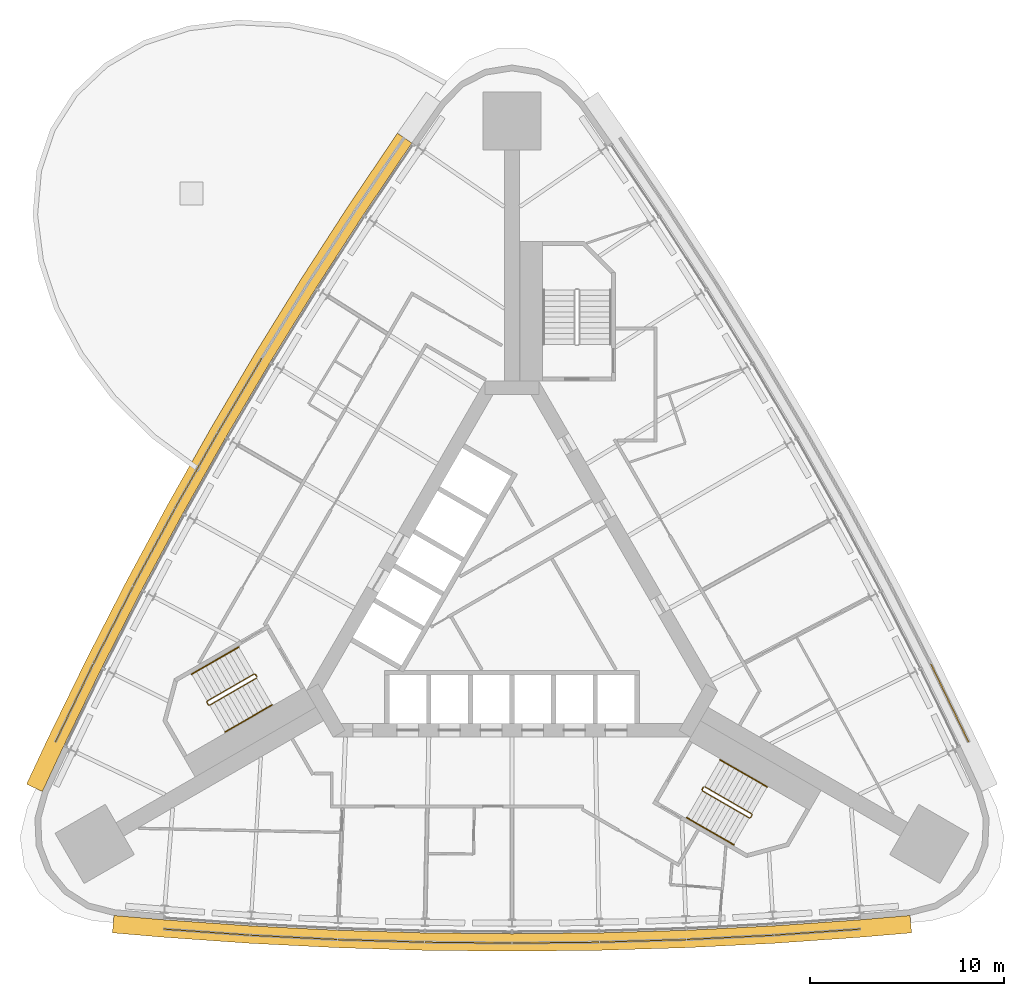
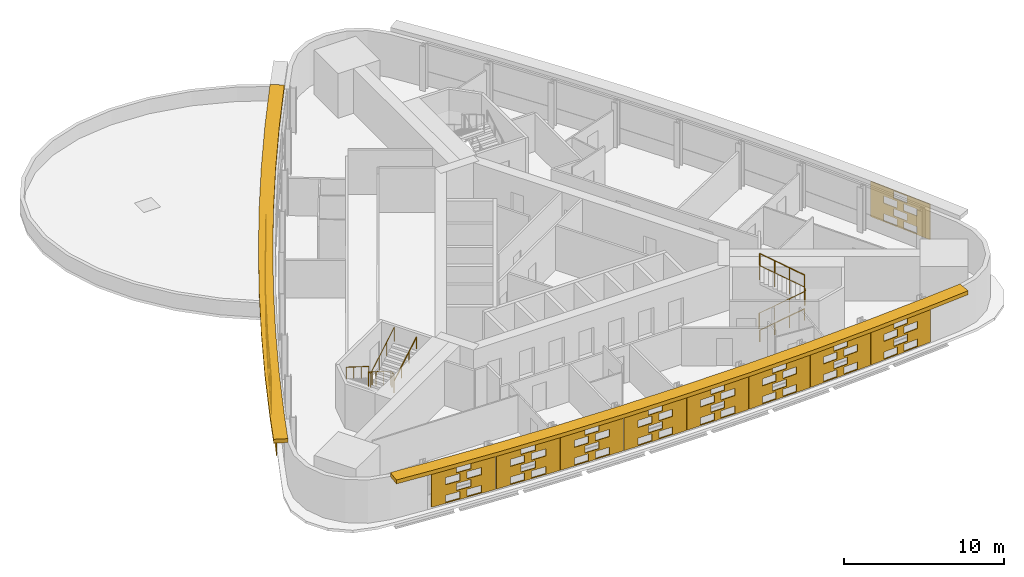
# One storey, part 11 of 12: 16 shading devices, 6 railings.
"""IFC4 building model written with IfcOpenShell, lengths in metres."""

from ifc_helpers import new_model, si_unit, direction, frame, origin, origin_2d, place, context, subcontext, project, spatial, polyline, circle, outline, extrude, material, material_profile, profile_set, type_object, element, save


model = new_model("IFC4")

# Units and contexts
model_context = context("Model", 3, precision=1e-05, world=origin(), true_north=direction((0.0, 1.0)))
body_context = subcontext(model_context, "Body", "Model", "MODEL_VIEW")
ifc_project = project(units=[si_unit("LENGTHUNIT", "METRE"), si_unit("AREAUNIT", "SQUARE_METRE"), si_unit("VOLUMEUNIT", "CUBIC_METRE"), si_unit("PLANEANGLEUNIT", "RADIAN"), si_unit("MASSUNIT", "GRAM", prefix="KILO")], contexts=[model_context])

# Site, building, storey
site_placement = place(None, origin())
site = spatial("IfcSite", under=ifc_project, at=site_placement, CompositionType="ELEMENT")
building_placement = place(site_placement, origin())
building = spatial("IfcBuilding", under=site, at=building_placement, Name="Noor Cloister Tower", CompositionType="ELEMENT")
storey_placement = place(building_placement, frame((0.0, 0.0, 105.89990234375)))
storey = spatial("IfcBuildingStorey", under=building, at=storey_placement, Name="L27", CompositionType="ELEMENT", Elevation=105.89990234375)

# Shading devices
ifc_material_1 = material(Name="Limestone", Category="masonry")
ifc_material_profile = material_profile(ifc_material_1, outline(polyline([(-2.22998046875, -1.35009765625), (2.22998046875, -1.35009765625), (2.22998046875, 1.35009765625), (-2.22998046875, 1.35009765625), (-2.22998046875, -1.35009765625)]), holes=[polyline([(-1.25, -1.282470703125), (-0.25, -1.282470703125), (-0.25, -0.742431640625), (-1.25, -0.742431640625), (-1.25, -1.282470703125)]), polyline([(0.25, -1.282470703125), (1.25, -1.282470703125), (1.25, -0.742431640625), (0.25, -0.742431640625), (0.25, -1.282470703125)]), polyline([(-0.5, -0.607421875), (0.5, -0.607421875), (0.5, -0.0673828125), (-0.5, -0.0673828125), (-0.5, -0.607421875)]), polyline([(-1.25, 0.0673828125), (-0.25, 0.0673828125), (-0.25, 0.607421875), (-1.25, 0.607421875), (-1.25, 0.0673828125)]), polyline([(0.25, 0.0673828125), (1.25, 0.0673828125), (1.25, 0.607421875), (0.25, 0.607421875), (0.25, 0.0673828125)]), polyline([(-0.5, 0.742431640625), (0.5, 0.742431640625), (0.5, 1.282470703125), (-0.5, 1.282470703125), (-0.5, 0.742431640625)])]), Name="Woven screen 28 percent open")
ifc_profile_set = profile_set([ifc_material_profile], Name="Limestone")
shading_device_type_1 = type_object("IfcShadingDeviceType", Name="SCREEN woven limestone 28 percent open", PredefinedType="USERDEFINED", material=ifc_profile_set)
for number, where, z_axis, x_axis, name in (
    (1, (-14.02978515625, 10.703369140625, 1.85009765625), (-0.86141148773, 0.507907716822, 0.0), (-0.507907716822, -0.86141148773, 0.0), "SCREEN L27 4"),
    (2, (-16.2841796875, 6.798583984375, 1.85009765625), (-0.87048706901, 0.492191286683, 0.0), (-0.492191286683, -0.87048706901, 0.0), "SCREEN L27 5"),
):
    element("IfcShadingDevice", number, at=place(storey_placement, frame(where, z_axis=z_axis, x_axis=x_axis)), inside=storey, type_object=shading_device_type_1, Name=name, ObjectType="SCREEN", PredefinedType="USERDEFINED", context=body_context, shape_type="SweptSolid", body=[
        extrude(outline(polyline([(-2.22998046875, -1.35009765625), (2.22998046875, -1.35009765625), (2.22998046875, 1.35009765625), (-2.22998046875, 1.35009765625), (-2.22998046875, -1.35009765625)]), holes=[polyline([(-1.25, -1.282470703125), (-0.25, -1.282470703125), (-0.25, -0.742431640625), (-1.25, -0.742431640625), (-1.25, -1.282470703125)]), polyline([(0.25, -1.282470703125), (1.25, -1.282470703125), (1.25, -0.742431640625), (0.25, -0.742431640625), (0.25, -1.282470703125)]), polyline([(-0.5, -0.607421875), (0.5, -0.607421875), (0.5, -0.0673828125), (-0.5, -0.0673828125), (-0.5, -0.607421875)]), polyline([(-1.25, 0.0673828125), (-0.25, 0.0673828125), (-0.25, 0.607421875), (-1.25, 0.607421875), (-1.25, 0.0673828125)]), polyline([(0.25, 0.0673828125), (1.25, 0.0673828125), (1.25, 0.607421875), (0.25, 0.607421875), (0.25, 0.0673828125)]), polyline([(-0.5, 0.742431640625), (0.5, 0.742431640625), (0.5, 1.282470703125), (-0.5, 1.282470703125), (-0.5, 0.742431640625)])]), origin(), (0.0, 0.0, 1.0), 0.06005859375),
    ])
shading_device_1_placement = place(storey_placement, frame((-18.459716796875, 2.849365234375, 1.85009765625), z_axis=(-0.880210472648, 0.474583526727, 0.0), x_axis=(-0.474583526727, -0.880210472648, 0.0)))
element("IfcShadingDevice", 3, at=shading_device_1_placement, inside=storey, type_object=shading_device_type_1, Name="SCREEN L27 6", ObjectType="SCREEN", PredefinedType="USERDEFINED", context=body_context, shape_type="SweptSolid", body=[
    extrude(outline(polyline([(-2.22998046875, -1.35009765625), (2.22998046875, -1.35009765625), (2.22998046875, 1.35009765625), (-2.22998046875, 1.35009765625), (-2.22998046875, -1.35009765625)]), holes=[polyline([(-1.25, -1.282470703125), (-0.25, -1.282470703125), (-0.25, -0.742431640625), (-1.25, -0.742431640625), (-1.25, -1.282470703125)]), polyline([(0.25, -1.282470703125), (1.25, -1.282470703125), (1.25, -0.742431640625), (0.25, -0.742431640625), (0.25, -1.282470703125)]), polyline([(-0.5, -0.607421875), (0.5, -0.607421875), (0.5, -0.0673828125), (-0.5, -0.0673828125), (-0.5, -0.607421875)]), polyline([(-1.25, 0.0673828125), (-0.25, 0.0673828125), (-0.25, 0.607421875), (-1.25, 0.607421875), (-1.25, 0.0673828125)]), polyline([(0.25, 0.0673828125), (1.25, 0.0673828125), (1.25, 0.607421875), (0.25, 0.607421875), (0.25, 0.0673828125)]), polyline([(-0.5, 0.742431640625), (0.5, 0.742431640625), (0.5, 1.282470703125), (-0.5, 1.282470703125), (-0.5, 0.742431640625)])]), origin(), (0.0, 0.0, 1.0), 0.060302734375),
])
shading_device_2_placement = place(storey_placement, frame((-20.5556640625, -1.142578125, 1.85009765625), z_axis=(-0.88947737876, 0.456979203766, 0.0), x_axis=(-0.456979203766, -0.88947737876, 0.0)))
element("IfcShadingDevice", 4, at=shading_device_2_placement, inside=storey, type_object=shading_device_type_1, Name="SCREEN L27 7", ObjectType="SCREEN", PredefinedType="USERDEFINED", context=body_context, shape_type="SweptSolid", body=[
    extrude(outline(polyline([(-2.22998046875, -1.35009765625), (2.22998046875, -1.35009765625), (2.22998046875, 1.35009765625), (-2.22998046875, 1.35009765625), (-2.22998046875, -1.35009765625)]), holes=[polyline([(-1.25, -1.282470703125), (-0.25, -1.282470703125), (-0.25, -0.742431640625), (-1.25, -0.742431640625), (-1.25, -1.282470703125)]), polyline([(0.25, -1.282470703125), (1.25, -1.282470703125), (1.25, -0.742431640625), (0.25, -0.742431640625), (0.25, -1.282470703125)]), polyline([(-0.5, -0.607421875), (0.5, -0.607421875), (0.5, -0.0673828125), (-0.5, -0.0673828125), (-0.5, -0.607421875)]), polyline([(-1.25, 0.0673828125), (-0.25, 0.0673828125), (-0.25, 0.607421875), (-1.25, 0.607421875), (-1.25, 0.0673828125)]), polyline([(0.25, 0.0673828125), (1.25, 0.0673828125), (1.25, 0.607421875), (0.25, 0.607421875), (0.25, 0.0673828125)]), polyline([(-0.5, 0.742431640625), (0.5, 0.742431640625), (0.5, 1.282470703125), (-0.5, 1.282470703125), (-0.5, 0.742431640625)])]), origin(), (0.0, 0.0, 1.0), 0.059814453125),
])
for number, where, z_axis, x_axis, name in (
    (5, (-22.57080078125, -5.17578125, 1.85009765625), (-0.900056208046, 0.435773820185, 0.0), (-0.435773820185, -0.900056208046, 0.0), "SCREEN L27 8"),
    (6, (-15.767822265625, -16.958984375, 1.85009765625), (-0.069221316626, -0.997601327848, 0.0), (0.997601327848, -0.069221316626, 0.0), "SCREEN L27 1"),
):
    element("IfcShadingDevice", number, at=place(storey_placement, frame(where, z_axis=z_axis, x_axis=x_axis)), inside=storey, type_object=shading_device_type_1, Name=name, ObjectType="SCREEN", PredefinedType="USERDEFINED", context=body_context, shape_type="SweptSolid", body=[
        extrude(outline(polyline([(-2.22998046875, -1.35009765625), (2.22998046875, -1.35009765625), (2.22998046875, 1.35009765625), (-2.22998046875, 1.35009765625), (-2.22998046875, -1.35009765625)]), holes=[polyline([(-1.25, -1.282470703125), (-0.25, -1.282470703125), (-0.25, -0.742431640625), (-1.25, -0.742431640625), (-1.25, -1.282470703125)]), polyline([(0.25, -1.282470703125), (1.25, -1.282470703125), (1.25, -0.742431640625), (0.25, -0.742431640625), (0.25, -1.282470703125)]), polyline([(-0.5, -0.607421875), (0.5, -0.607421875), (0.5, -0.0673828125), (-0.5, -0.0673828125), (-0.5, -0.607421875)]), polyline([(-1.25, 0.0673828125), (-0.25, 0.0673828125), (-0.25, 0.607421875), (-1.25, 0.607421875), (-1.25, 0.0673828125)]), polyline([(0.25, 0.0673828125), (1.25, 0.0673828125), (1.25, 0.607421875), (0.25, 0.607421875), (0.25, 0.0673828125)]), polyline([(-0.5, 0.742431640625), (0.5, 0.742431640625), (0.5, 1.282470703125), (-0.5, 1.282470703125), (-0.5, 0.742431640625)])]), origin(), (0.0, 0.0, 1.0), 0.06005859375),
    ])
shading_device_3_placement = place(storey_placement, frame((-11.267333984375, -17.23046875, 1.85009765625), z_axis=(-0.048920946303, -0.998802653687, 0.0), x_axis=(0.998802653687, -0.048920946303, 0.0)))
element("IfcShadingDevice", 7, at=shading_device_3_placement, inside=storey, type_object=shading_device_type_1, Name="SCREEN L27 2", ObjectType="SCREEN", PredefinedType="USERDEFINED", context=body_context, shape_type="SweptSolid", body=[
    extrude(outline(polyline([(-2.22998046875, -1.35009765625), (2.22998046875, -1.35009765625), (2.22998046875, 1.35009765625), (-2.22998046875, 1.35009765625), (-2.22998046875, -1.35009765625)]), holes=[polyline([(-1.25, -1.282470703125), (-0.25, -1.282470703125), (-0.25, -0.742431640625), (-1.25, -0.742431640625), (-1.25, -1.282470703125)]), polyline([(0.25, -1.282470703125), (1.25, -1.282470703125), (1.25, -0.742431640625), (0.25, -0.742431640625), (0.25, -1.282470703125)]), polyline([(-0.5, -0.607421875), (0.5, -0.607421875), (0.5, -0.0673828125), (-0.5, -0.0673828125), (-0.5, -0.607421875)]), polyline([(-1.25, 0.0673828125), (-0.25, 0.0673828125), (-0.25, 0.607421875), (-1.25, 0.607421875), (-1.25, 0.0673828125)]), polyline([(0.25, 0.0673828125), (1.25, 0.0673828125), (1.25, 0.607421875), (0.25, 0.607421875), (0.25, 0.0673828125)]), polyline([(-0.5, 0.742431640625), (0.5, 0.742431640625), (0.5, 1.282470703125), (-0.5, 1.282470703125), (-0.5, 0.742431640625)])]), origin(), (0.0, 0.0, 1.0), 0.059814453125),
])
shading_device_4_placement = place(storey_placement, frame((-6.76220703125, -17.411376953125, 1.85009765625), z_axis=(-0.028443771376, -0.999595394082, 0.0), x_axis=(0.999595394082, -0.028443771376, 0.0)))
element("IfcShadingDevice", 8, at=shading_device_4_placement, inside=storey, type_object=shading_device_type_1, Name="SCREEN L27 3", ObjectType="SCREEN", PredefinedType="USERDEFINED", context=body_context, shape_type="SweptSolid", body=[
    extrude(outline(polyline([(-2.22998046875, -1.35009765625), (2.22998046875, -1.35009765625), (2.22998046875, 1.35009765625), (-2.22998046875, 1.35009765625), (-2.22998046875, -1.35009765625)]), holes=[polyline([(-1.25, -1.282470703125), (-0.25, -1.282470703125), (-0.25, -0.742431640625), (-1.25, -0.742431640625), (-1.25, -1.282470703125)]), polyline([(0.25, -1.282470703125), (1.25, -1.282470703125), (1.25, -0.742431640625), (0.25, -0.742431640625), (0.25, -1.282470703125)]), polyline([(-0.5, -0.607421875), (0.5, -0.607421875), (0.5, -0.0673828125), (-0.5, -0.0673828125), (-0.5, -0.607421875)]), polyline([(-1.25, 0.0673828125), (-0.25, 0.0673828125), (-0.25, 0.607421875), (-1.25, 0.607421875), (-1.25, 0.0673828125)]), polyline([(0.25, 0.0673828125), (1.25, 0.0673828125), (1.25, 0.607421875), (0.25, 0.607421875), (0.25, 0.0673828125)]), polyline([(-0.5, 0.742431640625), (0.5, 0.742431640625), (0.5, 1.282470703125), (-0.5, 1.282470703125), (-0.5, 0.742431640625)])]), origin(), (0.0, 0.0, 1.0), 0.06005859375),
])
for number, where, z_axis, x_axis, name in (
    (9, (-2.25439453125, -17.501953125, 1.85009765625), (-0.008162993324, -0.999966682215, 0.0), (0.999966682215, -0.008162993324, 0.0), "SCREEN L27 4"),
    (10, (2.25439453125, -17.501953125, 1.85009765625), (0.008162993324, -0.999966682215, 0.0), (0.999966682215, 0.008162993324, 0.0), "SCREEN L27 5"),
):
    element("IfcShadingDevice", number, at=place(storey_placement, frame(where, z_axis=z_axis, x_axis=x_axis)), inside=storey, type_object=shading_device_type_1, Name=name, ObjectType="SCREEN", PredefinedType="USERDEFINED", context=body_context, shape_type="SweptSolid", body=[
        extrude(outline(polyline([(-2.22998046875, -1.35009765625), (2.22998046875, -1.35009765625), (2.22998046875, 1.35009765625), (-2.22998046875, 1.35009765625), (-2.22998046875, -1.35009765625)]), holes=[polyline([(-1.25, -1.282470703125), (-0.25, -1.282470703125), (-0.25, -0.742431640625), (-1.25, -0.742431640625), (-1.25, -1.282470703125)]), polyline([(0.25, -1.282470703125), (1.25, -1.282470703125), (1.25, -0.742431640625), (0.25, -0.742431640625), (0.25, -1.282470703125)]), polyline([(-0.5, -0.607421875), (0.5, -0.607421875), (0.5, -0.0673828125), (-0.5, -0.0673828125), (-0.5, -0.607421875)]), polyline([(-1.25, 0.0673828125), (-0.25, 0.0673828125), (-0.25, 0.607421875), (-1.25, 0.607421875), (-1.25, 0.0673828125)]), polyline([(0.25, 0.0673828125), (1.25, 0.0673828125), (1.25, 0.607421875), (0.25, 0.607421875), (0.25, 0.0673828125)]), polyline([(-0.5, 0.742431640625), (0.5, 0.742431640625), (0.5, 1.282470703125), (-0.5, 1.282470703125), (-0.5, 0.742431640625)])]), origin(), (0.0, 0.0, 1.0), 0.059814453125),
    ])
shading_device_5_placement = place(storey_placement, frame((6.76220703125, -17.411376953125, 1.85009765625), z_axis=(0.028443771376, -0.999595394082, 0.0), x_axis=(0.999595394082, 0.028443771376, 0.0)))
element("IfcShadingDevice", 11, at=shading_device_5_placement, inside=storey, type_object=shading_device_type_1, Name="SCREEN L27 6", ObjectType="SCREEN", PredefinedType="USERDEFINED", context=body_context, shape_type="SweptSolid", body=[
    extrude(outline(polyline([(-2.22998046875, -1.35009765625), (2.22998046875, -1.35009765625), (2.22998046875, 1.35009765625), (-2.22998046875, 1.35009765625), (-2.22998046875, -1.35009765625)]), holes=[polyline([(-1.25, -1.282470703125), (-0.25, -1.282470703125), (-0.25, -0.742431640625), (-1.25, -0.742431640625), (-1.25, -1.282470703125)]), polyline([(0.25, -1.282470703125), (1.25, -1.282470703125), (1.25, -0.742431640625), (0.25, -0.742431640625), (0.25, -1.282470703125)]), polyline([(-0.5, -0.607421875), (0.5, -0.607421875), (0.5, -0.0673828125), (-0.5, -0.0673828125), (-0.5, -0.607421875)]), polyline([(-1.25, 0.0673828125), (-0.25, 0.0673828125), (-0.25, 0.607421875), (-1.25, 0.607421875), (-1.25, 0.0673828125)]), polyline([(0.25, 0.0673828125), (1.25, 0.0673828125), (1.25, 0.607421875), (0.25, 0.607421875), (0.25, 0.0673828125)]), polyline([(-0.5, 0.742431640625), (0.5, 0.742431640625), (0.5, 1.282470703125), (-0.5, 1.282470703125), (-0.5, 0.742431640625)])]), origin(), (0.0, 0.0, 1.0), 0.06005859375),
])
shading_device_6_placement = place(storey_placement, frame((11.267333984375, -17.23046875, 1.85009765625), z_axis=(0.048920946303, -0.998802653687, 0.0), x_axis=(0.998802653687, 0.048920946303, 0.0)))
element("IfcShadingDevice", 12, at=shading_device_6_placement, inside=storey, type_object=shading_device_type_1, Name="SCREEN L27 7", ObjectType="SCREEN", PredefinedType="USERDEFINED", context=body_context, shape_type="SweptSolid", body=[
    extrude(outline(polyline([(-2.22998046875, -1.35009765625), (2.22998046875, -1.35009765625), (2.22998046875, 1.35009765625), (-2.22998046875, 1.35009765625), (-2.22998046875, -1.35009765625)]), holes=[polyline([(-1.25, -1.282470703125), (-0.25, -1.282470703125), (-0.25, -0.742431640625), (-1.25, -0.742431640625), (-1.25, -1.282470703125)]), polyline([(0.25, -1.282470703125), (1.25, -1.282470703125), (1.25, -0.742431640625), (0.25, -0.742431640625), (0.25, -1.282470703125)]), polyline([(-0.5, -0.607421875), (0.5, -0.607421875), (0.5, -0.0673828125), (-0.5, -0.0673828125), (-0.5, -0.607421875)]), polyline([(-1.25, 0.0673828125), (-0.25, 0.0673828125), (-0.25, 0.607421875), (-1.25, 0.607421875), (-1.25, 0.0673828125)]), polyline([(0.25, 0.0673828125), (1.25, 0.0673828125), (1.25, 0.607421875), (0.25, 0.607421875), (0.25, 0.0673828125)]), polyline([(-0.5, 0.742431640625), (0.5, 0.742431640625), (0.5, 1.282470703125), (-0.5, 1.282470703125), (-0.5, 0.742431640625)])]), origin(), (0.0, 0.0, 1.0), 0.059814453125),
])
for number, where, z_axis, x_axis, name in (
    (13, (15.767822265625, -16.958984375, 1.85009765625), (0.069221316626, -0.997601327848, 0.0), (0.997601327848, 0.069221316626, 0.0), "SCREEN L27 8"),
    (14, (22.57080078125, -5.17578125, 1.85009765625), (0.900056208046, 0.435773820185, 0.0), (-0.435773820185, 0.900056208046, 0.0), "SCREEN L27 1"),
):
    element("IfcShadingDevice", number, at=place(storey_placement, frame(where, z_axis=z_axis, x_axis=x_axis)), inside=storey, type_object=shading_device_type_1, Name=name, ObjectType="SCREEN", PredefinedType="USERDEFINED", context=body_context, shape_type="SweptSolid", body=[
        extrude(outline(polyline([(-2.22998046875, -1.35009765625), (2.22998046875, -1.35009765625), (2.22998046875, 1.35009765625), (-2.22998046875, 1.35009765625), (-2.22998046875, -1.35009765625)]), holes=[polyline([(-1.25, -1.282470703125), (-0.25, -1.282470703125), (-0.25, -0.742431640625), (-1.25, -0.742431640625), (-1.25, -1.282470703125)]), polyline([(0.25, -1.282470703125), (1.25, -1.282470703125), (1.25, -0.742431640625), (0.25, -0.742431640625), (0.25, -1.282470703125)]), polyline([(-0.5, -0.607421875), (0.5, -0.607421875), (0.5, -0.0673828125), (-0.5, -0.0673828125), (-0.5, -0.607421875)]), polyline([(-1.25, 0.0673828125), (-0.25, 0.0673828125), (-0.25, 0.607421875), (-1.25, 0.607421875), (-1.25, 0.0673828125)]), polyline([(0.25, 0.0673828125), (1.25, 0.0673828125), (1.25, 0.607421875), (0.25, 0.607421875), (0.25, 0.0673828125)]), polyline([(-0.5, 0.742431640625), (0.5, 0.742431640625), (0.5, 1.282470703125), (-0.5, 1.282470703125), (-0.5, 0.742431640625)])]), origin(), (0.0, 0.0, 1.0), 0.06005859375),
    ])
ifc_material_2 = material(Name="Limestone", Category="masonry")
shading_device_type_2 = type_object("IfcShadingDeviceType", Name="SUNSHADE limestone band 900", PredefinedType="USERDEFINED", material=ifc_material_2)
shading_device_7_placement = place(storey_placement, frame((0.0, 0.0, 3.300048828125)))
element("IfcShadingDevice", 15, at=shading_device_7_placement, inside=storey, type_object=shading_device_type_2, Name="SUNSHADE L27 1", ObjectType="SUNSHADE", PredefinedType="USERDEFINED", context=body_context, shape_type="SweptSolid", body=[
    extrude(outline(polyline([(-5.916748046875, 24.25146484375), (-8.43994140625, 20.514404296875), (-10.892333984375, 16.719970703125), (-13.268310546875, 12.877197265625), (-15.56640625, 8.9873046875), (-17.7861328125, 5.052001953125), (-19.92626953125, 1.0732421875), (-21.986083984375, -2.947998046875), (-23.9638671875, -7.0078125), (-25.059814453125, -9.350830078125), (-24.24462890625, -9.732177734375), (-23.151611328125, -7.395751953125), (-21.180908203125, -3.350341796875), (-19.129150390625, 0.65478515625), (-16.99755859375, 4.617919921875), (-14.786865234375, 8.537353515625), (-12.498046875, 12.41162109375), (-10.131591796875, 16.239013671875), (-7.68896484375, 20.018310546875), (-5.1708984375, 23.747802734375), (-5.916748046875, 24.25146484375)])), origin(), (0.0, 0.0, 1.0), 0.300048828125),
])
shading_device_8_placement = place(storey_placement, frame((0.0, 0.0, 3.300048828125)))
element("IfcShadingDevice", 16, at=shading_device_8_placement, inside=storey, type_object=shading_device_type_2, Name="SUNSHADE L27 2", ObjectType="SUNSHADE", PredefinedType="USERDEFINED", context=body_context, shape_type="SweptSolid", body=[
    extrude(outline(polyline([(-20.6279296875, -17.027099609375), (-18.051025390625, -17.249267578125), (-13.5458984375, -17.56640625), (-9.03369140625, -17.793212890625), (-4.517822265625, -17.92919921875), (0.0, -17.974609375), (4.517822265625, -17.92919921875), (9.03369140625, -17.793212890625), (13.5458984375, -17.56640625), (18.051025390625, -17.249267578125), (20.6279296875, -17.027099609375), (20.550537109375, -16.13037109375), (17.980712890625, -16.35205078125), (13.491943359375, -16.66796875), (8.99755859375, -16.893798828125), (4.499755859375, -17.029296875), (0.0, -17.074462890625), (-4.499755859375, -17.029296875), (-8.99755859375, -16.893798828125), (-13.491943359375, -16.66796875), (-17.980712890625, -16.35205078125), (-20.550537109375, -16.13037109375), (-20.6279296875, -17.027099609375)])), origin(), (0.0, 0.0, 1.0), 0.300048828125),
])

# Railings
ifc_material_3 = material(Name="Stainless steel", Category="steel")
railing_type_1 = type_object("IfcRailingType", Name="Stair guard 1100", PredefinedType="GUARDRAIL", material=ifc_material_3)
railing_1_placement = place(storey_placement, frame((-13.241455078125, -3.677734375, 0.0)))
element("IfcRailing", 17, at=railing_1_placement, inside=storey, type_object=railing_type_1, Name="Stair guard ST2 L27", PredefinedType="GUARDRAIL", context=body_context, shape_type="SweptSolid", body=[
    extrude(circle(Radius=0.02392578125, at=origin_2d()), frame((0.0, 0.0, 1.076171875), z_axis=(0.499112439033, -0.866537231285, 0.0), x_axis=(0.866537231285, 0.499112439033, 0.0)), (0.0, 0.0, 1.0), 0.150146484375),
    extrude(circle(Radius=0.02392578125, at=origin_2d()), frame((0.074951171875, -0.130126953125, 1.076171875), z_axis=(-0.544251820729, 0.562795323991, 0.622134534428), x_axis=(-0.718850276695, -0.695164929852, 0.0)), (0.0, 0.0, 1.0), 0.263427734375),
    extrude(circle(Radius=0.02392578125, at=origin_2d()), frame((-0.068359375, 0.01806640625, 1.23974609375), z_axis=(-0.74771821388, -0.431677027627, 0.504551698492), x_axis=(0.49998411664, -0.866034573852, 0.0)), (0.0, 0.0, 1.0), 3.242919921875),
    extrude(circle(Radius=0.02392578125, at=origin_2d()), frame((-2.4931640625, -1.3818359375, 2.8759765625), z_axis=(-0.258736085224, -0.965948051503, 0.0), x_axis=(0.965948051503, -0.258736085224, 0.0)), (0.0, 0.0, 1.0), 0.07080078125),
    extrude(circle(Radius=0.02392578125, at=origin_2d()), frame((-2.511474609375, -1.4501953125, 2.8759765625), z_axis=(0.499816412211, -0.866131372301, 0.0), x_axis=(0.866131372301, 0.499816412211, 0.0)), (0.0, 0.0, 1.0), 0.14990234375),
    extrude(circle(Radius=0.02392578125, at=origin_2d()), frame((-2.4365234375, -1.580078125, 2.8759765625), z_axis=(0.383552647116, -0.102737316192, 0.917786691313), x_axis=(0.258736085224, 0.965948051503, 0.0)), (0.0, 0.0, 1.0), 0.17822265625),
    extrude(circle(Radius=0.02392578125, at=origin_2d()), frame((-2.3681640625, -1.598388671875, 3.03955078125), z_axis=(0.747665513933, 0.431721881032, 0.504591415616), x_axis=(-0.500049511043, 0.865996816683, 0.0)), (0.0, 0.0, 1.0), 3.2431640625),
    extrude(circle(Radius=0.02099609375, at=origin_2d()), origin(), (0.0, 0.0, 1.0), 1.052001953125),
    extrude(circle(Radius=0.02099609375, at=origin_2d()), frame((0.074951171875, -0.130126953125, 0.0)), (0.0, 0.0, 1.0), 1.052001953125),
    extrude(circle(Radius=0.02099609375, at=origin_2d()), frame((-0.068359375, 0.01806640625, 0.163818359375)), (0.0, 0.0, 1.0), 1.052001953125),
    extrude(circle(Radius=0.02099609375, at=origin_2d()), frame((-0.876708984375, -0.448486328125, 0.709228515625)), (0.0, 0.0, 1.0), 1.052001953125),
    extrude(circle(Radius=0.02099609375, at=origin_2d()), frame((-1.684814453125, -0.915283203125, 1.254638671875)), (0.0, 0.0, 1.0), 1.052001953125),
    extrude(circle(Radius=0.02099609375, at=origin_2d()), frame((-2.4931640625, -1.3818359375, 1.800048828125)), (0.0, 0.0, 1.0), 1.052001953125),
    extrude(circle(Radius=0.02099609375, at=origin_2d()), frame((-2.511474609375, -1.4501953125, 1.800048828125)), (0.0, 0.0, 1.0), 1.052001953125),
    extrude(circle(Radius=0.02099609375, at=origin_2d()), frame((-2.4365234375, -1.580078125, 1.800048828125)), (0.0, 0.0, 1.0), 1.052001953125),
    extrude(circle(Radius=0.02099609375, at=origin_2d()), frame((-2.3681640625, -1.598388671875, 1.963623046875)), (0.0, 0.0, 1.0), 1.052001953125),
    extrude(circle(Radius=0.02099609375, at=origin_2d()), frame((-1.559814453125, -1.131591796875, 2.509033203125)), (0.0, 0.0, 1.0), 1.052001953125),
    extrude(circle(Radius=0.02099609375, at=origin_2d()), frame((-0.751708984375, -0.6650390625, 3.0546875)), (0.0, 0.0, 1.0), 1.052001953125),
    extrude(circle(Radius=0.02099609375, at=origin_2d()), frame((0.056640625, -0.1982421875, 3.60009765625)), (0.0, 0.0, 1.0), 1.052001953125),
])
railing_2_placement = place(storey_placement, frame((9.805908203125, -9.628662109375, 0.0)))
element("IfcRailing", 18, at=railing_2_placement, inside=storey, type_object=railing_type_1, Name="Stair guard ST3 L27", PredefinedType="GUARDRAIL", context=body_context, shape_type="SweptSolid", body=[
    extrude(circle(Radius=0.02392578125, at=origin_2d()), frame((0.0, 0.0, 1.076171875), z_axis=(0.499112439033, 0.866537231285, 0.0), x_axis=(-0.866537231285, 0.499112439033, 0.0)), (0.0, 0.0, 1.0), 0.150146484375),
    extrude(circle(Radius=0.02392578125, at=origin_2d()), frame((0.074951171875, 0.130126953125, 1.076171875), z_axis=(-0.215090770512, -0.752817696793, 0.622094426784), x_axis=(0.961523947641, -0.274721127897, 0.0)), (0.0, 0.0, 1.0), 0.263427734375),
    extrude(circle(Radius=0.02392578125, at=origin_2d()), frame((0.018310546875, -0.068115234375, 1.23974609375), z_axis=(0.747693913401, -0.431738279637, 0.504535300807), x_axis=(0.500049511043, 0.865996816683, 0.0)), (0.0, 0.0, 1.0), 3.2431640625),
    extrude(circle(Radius=0.02392578125, at=origin_2d()), frame((2.443115234375, -1.46826171875, 2.8759765625), z_axis=(0.965948051503, 0.258736085224, 0.0), x_axis=(-0.258736085224, 0.965948051503, 0.0)), (0.0, 0.0, 1.0), 0.07080078125),
    extrude(circle(Radius=0.02392578125, at=origin_2d()), frame((2.511474609375, -1.449951171875, 2.8759765625), z_axis=(0.499816412211, 0.866131372301, 0.0), x_axis=(-0.866131372301, 0.499816412211, 0.0)), (0.0, 0.0, 1.0), 0.14990234375),
    extrude(circle(Radius=0.02392578125, at=origin_2d()), frame((2.58642578125, -1.320068359375, 2.8759765625), z_axis=(-0.102737316192, 0.383552647116, 0.917786691313), x_axis=(-0.965948051503, -0.258736085224, 0.0)), (0.0, 0.0, 1.0), 0.17822265625),
    extrude(circle(Radius=0.02392578125, at=origin_2d()), frame((2.568115234375, -1.251708984375, 3.03955078125), z_axis=(-0.747689811644, 0.431660630283, 0.504607813879), x_axis=(-0.49998411664, -0.866034573852, 0.0)), (0.0, 0.0, 1.0), 3.2431640625),
    extrude(circle(Radius=0.02099609375, at=origin_2d()), origin(), (0.0, 0.0, 1.0), 1.052001953125),
    extrude(circle(Radius=0.02099609375, at=origin_2d()), frame((0.074951171875, 0.130126953125, 0.0)), (0.0, 0.0, 1.0), 1.052001953125),
    extrude(circle(Radius=0.02099609375, at=origin_2d()), frame((0.018310546875, -0.068115234375, 0.163818359375)), (0.0, 0.0, 1.0), 1.052001953125),
    extrude(circle(Radius=0.02099609375, at=origin_2d()), frame((0.82666015625, -0.534912109375, 0.709228515625)), (0.0, 0.0, 1.0), 1.052001953125),
    extrude(circle(Radius=0.02099609375, at=origin_2d()), frame((1.634765625, -1.00146484375, 1.254638671875)), (0.0, 0.0, 1.0), 1.052001953125),
    extrude(circle(Radius=0.02099609375, at=origin_2d()), frame((2.443115234375, -1.46826171875, 1.800048828125)), (0.0, 0.0, 1.0), 1.052001953125),
    extrude(circle(Radius=0.02099609375, at=origin_2d()), frame((2.511474609375, -1.449951171875, 1.800048828125)), (0.0, 0.0, 1.0), 1.052001953125),
    extrude(circle(Radius=0.02099609375, at=origin_2d()), frame((2.58642578125, -1.320068359375, 1.800048828125)), (0.0, 0.0, 1.0), 1.052001953125),
    extrude(circle(Radius=0.02099609375, at=origin_2d()), frame((2.568115234375, -1.251708984375, 1.963623046875)), (0.0, 0.0, 1.0), 1.052001953125),
    extrude(circle(Radius=0.02099609375, at=origin_2d()), frame((1.759765625, -0.78515625, 2.509033203125)), (0.0, 0.0, 1.0), 1.052001953125),
    extrude(circle(Radius=0.02099609375, at=origin_2d()), frame((0.95166015625, -0.318359375, 3.0546875)), (0.0, 0.0, 1.0), 1.052001953125),
    extrude(circle(Radius=0.02099609375, at=origin_2d()), frame((0.143310546875, 0.148193359375, 3.60009765625)), (0.0, 0.0, 1.0), 1.052001953125),
])
ifc_material_4 = material(Name="Stainless steel", Category="steel")
railing_type_2 = type_object("IfcRailingType", Name="Stair handrail 900", PredefinedType="HANDRAIL", material=ifc_material_4)
railing_3_placement = place(storey_placement, frame((-14.10986328125, -2.27392578125, 0.163818359375)))
element("IfcRailing", 19, at=railing_3_placement, inside=storey, type_object=railing_type_2, Name="Stair handrail ST2 L27 1", PredefinedType="HANDRAIL", context=body_context, shape_type="SweptSolid", body=[
    extrude(circle(Radius=0.02392578125, at=origin_2d()), frame((0.0, 0.0, 0.8759765625), z_axis=(-0.74771821388, -0.431677027627, 0.504551698492), x_axis=(0.49998411664, -0.866034573852, 0.0)), (0.0, 0.0, 1.0), 3.242919921875),
    extrude(circle(Radius=0.02099609375, at=origin_2d()), origin(), (0.0, 0.0, 1.0), 0.851806640625),
    extrude(circle(Radius=0.02099609375, at=origin_2d()), frame((-0.808349609375, -0.466552734375, 0.54541015625)), (0.0, 0.0, 1.0), 0.851806640625),
    extrude(circle(Radius=0.02099609375, at=origin_2d()), frame((-1.616455078125, -0.933349609375, 1.0908203125)), (0.0, 0.0, 1.0), 0.851806640625),
    extrude(circle(Radius=0.02099609375, at=origin_2d()), frame((-2.4248046875, -1.39990234375, 1.63623046875)), (0.0, 0.0, 1.0), 0.851806640625),
])
railing_4_placement = place(storey_placement, frame((-14.8095703125, -6.66162109375, 1.963623046875)))
element("IfcRailing", 20, at=railing_4_placement, inside=storey, type_object=railing_type_2, Name="Stair handrail ST2 L27 2", PredefinedType="HANDRAIL", context=body_context, shape_type="SweptSolid", body=[
    extrude(circle(Radius=0.02392578125, at=origin_2d()), frame((0.0, 0.0, 0.8759765625), z_axis=(0.747689811644, 0.431660630283, 0.504607813879), x_axis=(-0.49998411664, 0.866034573852, 0.0)), (0.0, 0.0, 1.0), 3.2431640625),
    extrude(circle(Radius=0.02099609375, at=origin_2d()), origin(), (0.0, 0.0, 1.0), 0.851806640625),
    extrude(circle(Radius=0.02099609375, at=origin_2d()), frame((0.808349609375, 0.466552734375, 0.54541015625)), (0.0, 0.0, 1.0), 0.851806640625),
    extrude(circle(Radius=0.02099609375, at=origin_2d()), frame((1.616455078125, 0.933349609375, 1.091064453125)), (0.0, 0.0, 1.0), 0.851806640625),
    extrude(circle(Radius=0.02099609375, at=origin_2d()), frame((2.4248046875, 1.39990234375, 1.636474609375)), (0.0, 0.0, 1.0), 0.851806640625),
])
railing_5_placement = place(storey_placement, frame((9.024169921875, -11.08251953125, 0.163818359375)))
element("IfcRailing", 21, at=railing_5_placement, inside=storey, type_object=railing_type_2, Name="Stair handrail ST3 L27 1", PredefinedType="HANDRAIL", context=body_context, shape_type="SweptSolid", body=[
    extrude(circle(Radius=0.02392578125, at=origin_2d()), frame((0.0, 0.0, 0.8759765625), z_axis=(0.74771821388, -0.431677027627, 0.504551698492), x_axis=(0.49998411664, 0.866034573852, 0.0)), (0.0, 0.0, 1.0), 3.242919921875),
    extrude(circle(Radius=0.02099609375, at=origin_2d()), origin(), (0.0, 0.0, 1.0), 0.851806640625),
    extrude(circle(Radius=0.02099609375, at=origin_2d()), frame((0.808349609375, -0.466552734375, 0.54541015625)), (0.0, 0.0, 1.0), 0.851806640625),
    extrude(circle(Radius=0.02099609375, at=origin_2d()), frame((1.616455078125, -0.933349609375, 1.0908203125)), (0.0, 0.0, 1.0), 0.851806640625),
    extrude(circle(Radius=0.02099609375, at=origin_2d()), frame((2.4248046875, -1.39990234375, 1.63623046875)), (0.0, 0.0, 1.0), 0.851806640625),
])
railing_6_placement = place(storey_placement, frame((13.174072265625, -9.49462890625, 1.963623046875)))
element("IfcRailing", 22, at=railing_6_placement, inside=storey, type_object=railing_type_2, Name="Stair handrail ST3 L27 2", PredefinedType="HANDRAIL", context=body_context, shape_type="SweptSolid", body=[
    extrude(circle(Radius=0.02392578125, at=origin_2d()), frame((0.0, 0.0, 0.8759765625), z_axis=(-0.747689811644, 0.431660630283, 0.504607813879), x_axis=(-0.49998411664, -0.866034573852, 0.0)), (0.0, 0.0, 1.0), 3.2431640625),
    extrude(circle(Radius=0.02099609375, at=origin_2d()), origin(), (0.0, 0.0, 1.0), 0.851806640625),
    extrude(circle(Radius=0.02099609375, at=origin_2d()), frame((-0.808349609375, 0.466552734375, 0.54541015625)), (0.0, 0.0, 1.0), 0.851806640625),
    extrude(circle(Radius=0.02099609375, at=origin_2d()), frame((-1.616455078125, 0.933349609375, 1.091064453125)), (0.0, 0.0, 1.0), 0.851806640625),
    extrude(circle(Radius=0.02099609375, at=origin_2d()), frame((-2.4248046875, 1.39990234375, 1.636474609375)), (0.0, 0.0, 1.0), 0.851806640625),
])

save(model, "model.ifc")
